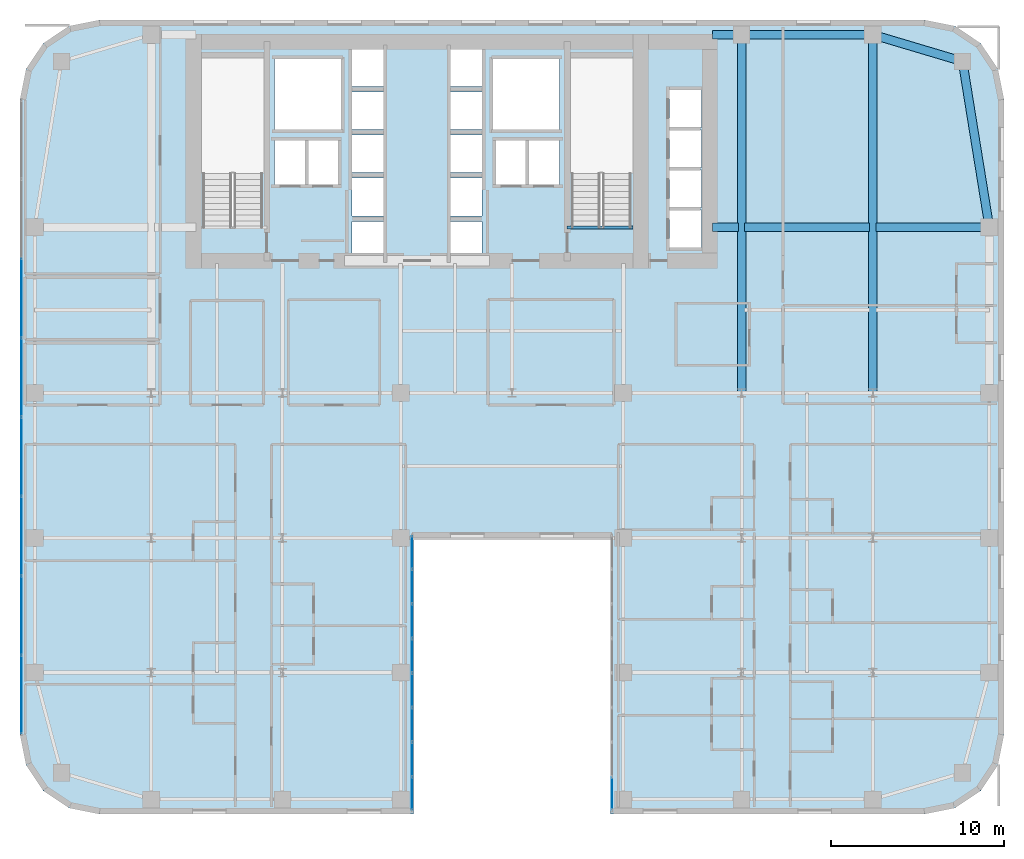
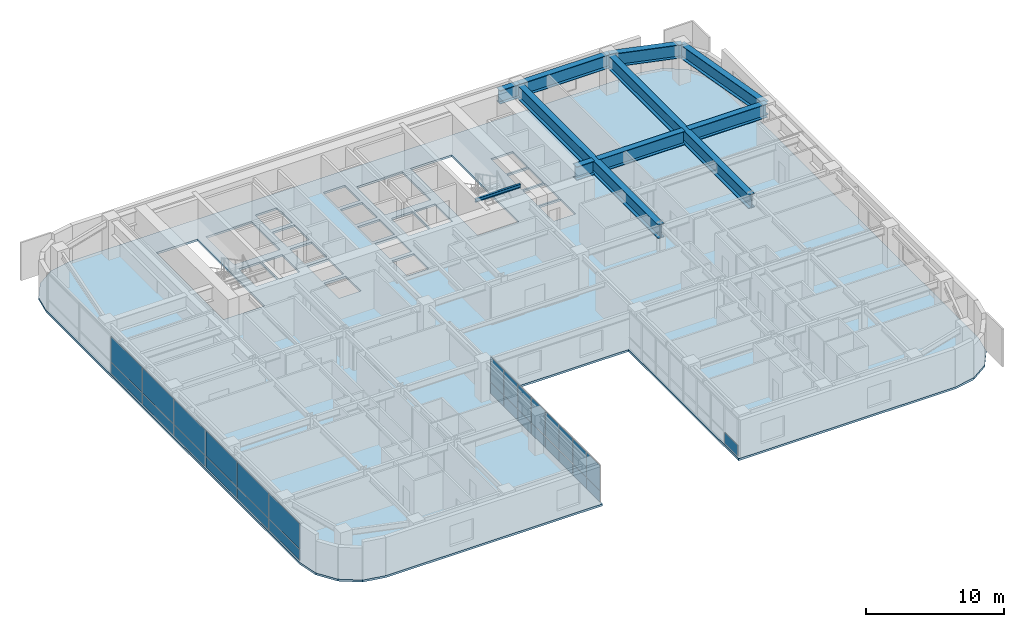
# One storey, part 22 of 30: 29 plates, 10 beams, 1 slab, 3 elements without a shape of their own.
"""IFC4 building model written with IfcOpenShell, lengths in metres."""

from ifc_helpers import new_model, si_unit, direction, frame, origin, origin_2d, place, context, subcontext, project, spatial, polyline, rectangle, i_section, outline, extrude, source, transform, mapped, material, layer, layer_set, material_profile, profile_set, type_object, type_shapes, element, aggregate, save


model = new_model("IFC4")

# Units and contexts
model_context = context("Model", 3, precision=1e-05, world=origin(), true_north=direction((0.0, 1.0)))
body_context = subcontext(model_context, "Body", "Model", "MODEL_VIEW")
ifc_project = project(units=[si_unit("LENGTHUNIT", "METRE"), si_unit("AREAUNIT", "SQUARE_METRE"), si_unit("VOLUMEUNIT", "CUBIC_METRE"), si_unit("PLANEANGLEUNIT", "RADIAN"), si_unit("MASSUNIT", "GRAM", prefix="KILO")], contexts=[model_context])

# Site, building, storey
site_placement = place(None, origin())
site = spatial("IfcSite", under=ifc_project, at=site_placement, CompositionType="ELEMENT")
building_placement = place(site_placement, origin())
building = spatial("IfcBuilding", under=site, at=building_placement, Name="Tolvann Quenvar Hotel", CompositionType="ELEMENT")
storey_placement = place(building_placement, frame((0.0, 0.0, 56.85009765625)))
storey = spatial("IfcBuildingStorey", under=building, at=storey_placement, Name="L13", CompositionType="ELEMENT", Elevation=56.85009765625)

# Beams
ifc_material_1 = material(Name="Steel Grade 350", Category="steel")
ifc_material_profile_1 = material_profile(ifc_material_1, i_section(OverallWidth=0.5, OverallDepth=1.199951171875, WebThickness=0.01611328125, FlangeThickness=0.0400390625, at=origin_2d()), Name="1200WB455")
ifc_profile_set_1 = profile_set([ifc_material_profile_1], Name="Steel Grade 350")
beam_type_1 = type_object("IfcBeamType", Name="BM_TG_1200WB455", PredefinedType="USERDEFINED", material=ifc_profile_set_1)
shared_shape_1 = source(origin(), body_context, "Body", "SweptSolid", [
    extrude(i_section(OverallWidth=0.5, OverallDepth=1.199951171875, WebThickness=0.01611328125, FlangeThickness=0.0400390625, at=origin_2d()), origin(), (0.0, 0.0, 1.0), 7.599853515625),
])
beam_1_placement = place(storey_placement, frame((49.39990234375, 45.14990234375, 2.77001953125), z_axis=(-1.0, 0.0, 0.0), x_axis=(0.0, -1.0, 0.0)))
element("IfcBeam", 1, at=beam_1_placement, inside=storey, type_object=beam_type_1, Name="BM-L13-FLK-E4", ObjectType="TRANSFER GIRDER", PredefinedType="USERDEFINED", context=body_context, shape_type="MappedRepresentation", body=[
    mapped(shared_shape_1, transform((0.0, 0.0, 0.0), x_axis=(1.0, 0.0, 0.0), y_axis=(0.0, 1.0, 0.0), z_axis=(0.0, 0.0, 1.0), scale=1.0)),
])
shared_shape_2 = source(origin(), body_context, "Body", "SweptSolid", [
    extrude(i_section(OverallWidth=0.5, OverallDepth=1.199951171875, WebThickness=0.01611328125, FlangeThickness=0.0400390625, at=origin_2d()), origin(), (0.0, 0.0, 1.0), 20.75),
])
for number, where, z_axis, x_axis, name in (
    (2, (41.800048828125, 24.39990234375, 2.77001953125), (0.0, 1.0, 0.0), (-1.0, 0.0, 0.0), "BM-L13-FLK-EH"),
    (3, (49.39990234375, 24.39990234375, 2.77001953125), (0.0, 1.0, 0.0), (-1.0, 0.0, 0.0), "BM-L13-FLK-EI"),
):
    element("IfcBeam", number, at=place(storey_placement, frame(where, z_axis=z_axis, x_axis=x_axis)), inside=storey, type_object=beam_type_1, Name=name, ObjectType="TRANSFER GIRDER", PredefinedType="USERDEFINED", context=body_context, shape_type="MappedRepresentation", body=[
        mapped(shared_shape_2, transform((0.0, 0.0, 0.0), x_axis=(1.0, 0.0, 0.0), y_axis=(0.0, 1.0, 0.0), z_axis=(0.0, 0.0, 1.0), scale=1.0)),
    ])
shared_shape_3 = source(origin(), body_context, "Body", "SweptSolid", [
    extrude(i_section(OverallWidth=0.5, OverallDepth=1.199951171875, WebThickness=0.01611328125, FlangeThickness=0.0400390625, at=origin_2d()), origin(), (0.0, 0.0, 1.0), 6.56982421875),
])
beam_2_placement = place(storey_placement, frame((49.580078125, 34.0, 2.77001953125), z_axis=(1.0, 0.0, 0.0), x_axis=(0.0, 1.0, 0.0)))
element("IfcBeam", 4, at=beam_2_placement, inside=storey, type_object=beam_type_1, Name="BM-L13-CTE-JD6C", ObjectType="TRANSFER GIRDER", PredefinedType="USERDEFINED", context=body_context, shape_type="MappedRepresentation", body=[
    mapped(shared_shape_3, transform((0.0, 0.0, 0.0), x_axis=(1.0, 0.0, 0.0), y_axis=(0.0, 1.0, 0.0), z_axis=(0.0, 0.0, 1.0), scale=1.0)),
])
shared_shape_4 = source(origin(), body_context, "Body", "SweptSolid", [
    extrude(i_section(OverallWidth=0.5, OverallDepth=1.199951171875, WebThickness=0.01611328125, FlangeThickness=0.0400390625, at=origin_2d()), origin(), (0.0, 0.0, 1.0), 9.724365234375),
])
beam_3_placement = place(storey_placement, frame((56.14990234375, 34.0, 2.77001953125), z_axis=(-0.159372939192, 0.987218449105, 0.0), x_axis=(-0.987218449105, -0.159372939192, 0.0)))
element("IfcBeam", 5, at=beam_3_placement, inside=storey, type_object=beam_type_1, Name="BM-L13-FLK-E2", ObjectType="TRANSFER GIRDER", PredefinedType="USERDEFINED", context=body_context, shape_type="MappedRepresentation", body=[
    mapped(shared_shape_4, transform((0.0, 0.0, 0.0), x_axis=(1.0, 0.0, 0.0), y_axis=(0.0, 1.0, 0.0), z_axis=(0.0, 0.0, 1.0), scale=1.0)),
])
shared_shape_5 = source(origin(), body_context, "Body", "SweptSolid", [
    extrude(i_section(OverallWidth=0.5, OverallDepth=1.199951171875, WebThickness=0.01611328125, FlangeThickness=0.0400390625, at=origin_2d()), origin(), (0.0, 0.0, 1.0), 5.42626953125),
])
beam_4_placement = place(storey_placement, frame((54.60009765625, 43.60009765625, 2.77001953125), z_axis=(-0.958344815522, 0.285613750654, 0.0), x_axis=(-0.285613750654, -0.958344815522, 0.0)))
element("IfcBeam", 6, at=beam_4_placement, inside=storey, type_object=beam_type_1, Name="BM-L13-FLK-E3", ObjectType="TRANSFER GIRDER", PredefinedType="USERDEFINED", context=body_context, shape_type="MappedRepresentation", body=[
    mapped(shared_shape_5, transform((0.0, 0.0, 0.0), x_axis=(1.0, 0.0, 0.0), y_axis=(0.0, 1.0, 0.0), z_axis=(0.0, 0.0, 1.0), scale=1.0)),
])
shared_shape_6 = source(origin(), body_context, "Body", "SweptSolid", [
    extrude(i_section(OverallWidth=0.5, OverallDepth=1.199951171875, WebThickness=0.01611328125, FlangeThickness=0.0400390625, at=origin_2d()), origin(), (0.0, 0.0, 1.0), 1.699951171875),
])
beam_5_placement = place(storey_placement, frame((40.10009765625, 45.14990234375, 2.77001953125), z_axis=(1.0, 0.0, 0.0), x_axis=(0.0, 1.0, 0.0)))
element("IfcBeam", 7, at=beam_5_placement, inside=storey, type_object=beam_type_1, Name="BM-L13-CTE-HN", ObjectType="TRANSFER GIRDER", PredefinedType="USERDEFINED", context=body_context, shape_type="MappedRepresentation", body=[
    mapped(shared_shape_6, transform((0.0, 0.0, 0.0), x_axis=(1.0, 0.0, 0.0), y_axis=(0.0, 1.0, 0.0), z_axis=(0.0, 0.0, 1.0), scale=1.0)),
])
shared_shape_7 = source(origin(), body_context, "Body", "SweptSolid", [
    extrude(i_section(OverallWidth=0.5, OverallDepth=1.199951171875, WebThickness=0.01611328125, FlangeThickness=0.0400390625, at=origin_2d()), origin(), (0.0, 0.0, 1.0), 1.52001953125),
])
beam_6_placement = place(storey_placement, frame((40.10009765625, 34.0, 2.77001953125), z_axis=(1.0, 0.0, 0.0), x_axis=(0.0, 1.0, 0.0)))
element("IfcBeam", 8, at=beam_6_placement, inside=storey, type_object=beam_type_1, Name="BM-L13-CTE-JD6A", ObjectType="TRANSFER GIRDER", PredefinedType="USERDEFINED", context=body_context, shape_type="MappedRepresentation", body=[
    mapped(shared_shape_7, transform((0.0, 0.0, 0.0), x_axis=(1.0, 0.0, 0.0), y_axis=(0.0, 1.0, 0.0), z_axis=(0.0, 0.0, 1.0), scale=1.0)),
])
shared_shape_8 = source(origin(), body_context, "Body", "SweptSolid", [
    extrude(i_section(OverallWidth=0.5, OverallDepth=1.199951171875, WebThickness=0.01611328125, FlangeThickness=0.0400390625, at=origin_2d()), origin(), (0.0, 0.0, 1.0), 7.239990234375),
])
type_shapes(beam_type_1, [shared_shape_1, shared_shape_2, shared_shape_3, shared_shape_4, shared_shape_5, shared_shape_6, shared_shape_7, shared_shape_8])
beam_7_placement = place(storey_placement, frame((41.97998046875, 34.0, 2.77001953125), z_axis=(1.0, 0.0, 0.0), x_axis=(0.0, 1.0, 0.0)))
element("IfcBeam", 9, at=beam_7_placement, inside=storey, type_object=beam_type_1, Name="BM-L13-CTE-JD6B", ObjectType="TRANSFER GIRDER", PredefinedType="USERDEFINED", context=body_context, shape_type="MappedRepresentation", body=[
    mapped(shared_shape_8, transform((0.0, 0.0, 0.0), x_axis=(1.0, 0.0, 0.0), y_axis=(0.0, 1.0, 0.0), z_axis=(0.0, 0.0, 1.0), scale=1.0)),
])
ifc_material_profile_2 = material_profile(ifc_material_1, i_section(OverallWidth=0.166015625, OverallDepth=0.306884765625, WebThickness=0.006591796875, FlangeThickness=0.01171875, FilletRadius=0.011474609375, at=origin_2d()), Name="310UB46")
ifc_profile_set_2 = profile_set([ifc_material_profile_2], Name="Steel Grade 350")
beam_type_2 = type_object("IfcBeamType", Name="BM_JOIST_310UB46", PredefinedType="JOIST", material=ifc_profile_set_2)
shared_shape_9 = source(origin(), body_context, "Body", "SweptSolid", [
    extrude(i_section(OverallWidth=0.166015625, OverallDepth=0.306884765625, WebThickness=0.006591796875, FlangeThickness=0.01171875, FilletRadius=0.011474609375, at=origin_2d()), origin(), (0.0, 0.0, 1.0), 3.800048828125),
])
type_shapes(beam_type_2, [shared_shape_9])
beam_8_placement = place(storey_placement, frame((31.699951171875, 33.97998046875, 3.21630859375), z_axis=(1.0, 0.0, 0.0), x_axis=(0.0, 1.0, 0.0)))
element("IfcBeam", 10, at=beam_8_placement, inside=storey, type_object=beam_type_2, Name="BM-HDR-STC2-L14", PredefinedType="JOIST", context=body_context, shape_type="MappedRepresentation", body=[
    mapped(shared_shape_9, transform((0.0, 0.0, 0.0), x_axis=(1.0, 0.0, 0.0), y_axis=(0.0, 1.0, 0.0), z_axis=(0.0, 0.0, 1.0), scale=1.0)),
])

# Slab
ifc_material_2 = material(Name="Concrete N40 (40 MPa)", Category="concrete")
ifc_layer_1 = layer(ifc_material_2, 0.179931640625)
ifc_layer_set_1 = layer_set([ifc_layer_1], Name="Concrete N40 (40 MPa)")
slab_type = type_object("IfcSlabType", Name="SLAB_TWR_180", PredefinedType="FLOOR", material=ifc_layer_set_1)
slab_placement = place(storey_placement, frame((0.0, 0.0, -0.18017578125)))
element("IfcSlab", 11, at=slab_placement, inside=storey, type_object=slab_type, Name="Level L13 Structural Floor Slab", PredefinedType="FLOOR", context=body_context, shape_type="SweptSolid", body=[
    extrude(outline(polyline([(0.0, 4.60009765625), (0.35009765625, 2.839599609375), (1.347412109375, 1.347412109375), (2.839599609375, 0.35009765625), (4.60009765625, 0.0), (22.800048828125, 0.0), (22.800048828125, 16.0), (34.199951171875, 16.0), (34.199951171875, 0.0), (52.39990234375, 0.0), (54.160400390625, 0.35009765625), (55.652587890625, 1.347412109375), (56.64990234375, 2.839599609375), (57.0, 4.60009765625), (57.0, 41.39990234375), (56.64990234375, 43.160400390625), (55.652587890625, 44.652587890625), (54.160400390625, 45.64990234375), (52.39990234375, 46.0), (4.60009765625, 46.0), (2.839599609375, 45.64990234375), (1.347412109375, 44.652587890625), (0.35009765625, 43.160400390625), (0.0, 41.39990234375), (0.0, 4.60009765625)]), holes=[polyline([(37.6298828125, 41.949951171875), (39.469970703125, 41.949951171875), (39.469970703125, 39.77001953125), (37.6298828125, 39.77001953125), (37.6298828125, 41.949951171875)]), polyline([(37.6298828125, 39.6298828125), (39.469970703125, 39.6298828125), (39.469970703125, 37.449951171875), (37.6298828125, 37.449951171875), (37.6298828125, 39.6298828125)]), polyline([(37.6298828125, 37.31005859375), (39.469970703125, 37.31005859375), (39.469970703125, 35.1298828125), (37.6298828125, 35.1298828125), (37.6298828125, 37.31005859375)]), polyline([(37.6298828125, 34.989990234375), (39.469970703125, 34.989990234375), (39.469970703125, 32.81005859375), (37.6298828125, 32.81005859375), (37.6298828125, 34.989990234375)]), polyline([(31.949951171875, 43.800048828125), (35.39990234375, 43.800048828125), (35.39990234375, 34.02490234375), (31.949951171875, 34.02490234375), (31.949951171875, 43.800048828125)]), polyline([(31.25, 39.02001953125), (31.25, 36.47998046875), (29.449951171875, 36.47998046875), (29.449951171875, 39.02001953125), (31.25, 39.02001953125)]), polyline([(31.25, 43.75), (31.25, 39.64990234375), (27.39990234375, 39.64990234375), (27.39990234375, 43.75), (31.25, 43.75)]), polyline([(27.574951171875, 39.02001953125), (29.324951171875, 39.02001953125), (29.324951171875, 36.47998046875), (27.574951171875, 36.47998046875), (27.574951171875, 39.02001953125)]), polyline([(26.77001953125, 36.840087890625), (26.77001953125, 34.659912109375), (24.929931640625, 34.659912109375), (24.929931640625, 36.840087890625), (26.77001953125, 36.840087890625)]), polyline([(26.77001953125, 44.340087890625), (26.77001953125, 42.159912109375), (24.929931640625, 42.159912109375), (24.929931640625, 44.340087890625), (26.77001953125, 44.340087890625)]), polyline([(26.77001953125, 41.840087890625), (26.77001953125, 39.659912109375), (24.929931640625, 39.659912109375), (24.929931640625, 41.840087890625), (26.77001953125, 41.840087890625)]), polyline([(26.77001953125, 39.340087890625), (26.77001953125, 37.159912109375), (24.929931640625, 37.159912109375), (24.929931640625, 39.340087890625), (26.77001953125, 39.340087890625)]), polyline([(24.929931640625, 34.340087890625), (26.77001953125, 34.340087890625), (26.77001953125, 32.159912109375), (24.929931640625, 32.159912109375), (24.929931640625, 34.340087890625)]), polyline([(21.070068359375, 44.340087890625), (21.070068359375, 42.159912109375), (19.22998046875, 42.159912109375), (19.22998046875, 44.340087890625), (21.070068359375, 44.340087890625)]), polyline([(19.22998046875, 41.840087890625), (21.070068359375, 41.840087890625), (21.070068359375, 39.659912109375), (19.22998046875, 39.659912109375), (19.22998046875, 41.840087890625)]), polyline([(21.070068359375, 39.340087890625), (21.070068359375, 37.159912109375), (19.22998046875, 37.159912109375), (19.22998046875, 39.340087890625), (21.070068359375, 39.340087890625)]), polyline([(19.22998046875, 36.840087890625), (21.070068359375, 36.840087890625), (21.070068359375, 34.659912109375), (19.22998046875, 34.659912109375), (19.22998046875, 36.840087890625)]), polyline([(19.22998046875, 34.340087890625), (21.070068359375, 34.340087890625), (21.070068359375, 32.159912109375), (19.22998046875, 32.159912109375), (19.22998046875, 34.340087890625)]), polyline([(18.60009765625, 43.75), (18.60009765625, 39.64990234375), (14.75, 39.64990234375), (14.75, 43.75), (18.60009765625, 43.75)]), polyline([(16.675048828125, 39.02001953125), (18.425048828125, 39.02001953125), (18.425048828125, 36.47998046875), (16.675048828125, 36.47998046875), (16.675048828125, 39.02001953125)]), polyline([(16.550048828125, 39.02001953125), (16.550048828125, 36.47998046875), (14.75, 36.47998046875), (14.75, 39.02001953125), (16.550048828125, 39.02001953125)]), polyline([(10.60009765625, 43.800048828125), (14.050048828125, 43.800048828125), (14.050048828125, 34.02490234375), (10.60009765625, 34.02490234375), (10.60009765625, 43.800048828125)])]), origin(), (0.0, 0.0, 1.0), 0.18017578125),
])

# Curtain wall, plates
ifc_material_3 = material(Name="Thermally broken anodised architectural aluminium 6063-T6 and laminated low-E glass", Category="aluminium")
ifc_layer_2 = layer(ifc_material_3, 0.179931640625)
ifc_layer_set_2 = layer_set([ifc_layer_2], Name="Thermally broken anodised architectural aluminium 6063-T6 and laminated low-E glass")
curtain_wall_type_1 = type_object("IfcCurtainWallType", Name="CW_SYS_SLOT_03", PredefinedType="USERDEFINED", material=ifc_layer_set_2)
curtain_wall_1_placement = place(storey_placement, origin())
curtain_wall_1 = element("IfcCurtainWall", 12, at=curtain_wall_1_placement, inside=storey, type_object=curtain_wall_type_1, Name="Curtain Wall CW-SLOT-03 (CWR-L13-E05)", ObjectType="UNITISED CURTAIN WALL", PredefinedType="USERDEFINED")
ifc_material_4 = material(Name="Low-iron laminated double glazing with solar-control coating", Category="glass")
ifc_layer_3 = layer(ifc_material_4, 0.028076171875)
ifc_layer_set_3 = layer_set([ifc_layer_3], Name="Low-iron laminated double glazing with solar-control coating")
plate_type = type_object("IfcPlateType", Name="CW_PAN_VISION_28", PredefinedType="CURTAIN_PANEL", material=ifc_layer_set_3)
shared_shape_10 = source(origin(), body_context, "Body", "SweptSolid", [
    extrude(rectangle(XDim=1.89501953125, YDim=0.028076171875, at=origin_2d()), origin(), (0.0, 0.0, 1.0), 0.9599609375),
])
plate_1_placement = place(storey_placement, frame((22.7099609375, 1.1923828125, 0.059814453125), z_axis=(0.0, 0.0, 1.0), x_axis=(0.0, 1.0, 0.0)))
plate_1 = element("IfcPlate", 13, at=plate_1_placement, type_object=plate_type, Name="CW-SLOT-03 panel 1.1", PredefinedType="CURTAIN_PANEL", context=body_context, shape_type="MappedRepresentation", body=[
    mapped(shared_shape_10, transform((0.0, 0.0, 0.0), x_axis=(1.0, 0.0, 0.0), y_axis=(0.0, 1.0, 0.0), z_axis=(0.0, 0.0, 1.0), scale=1.0)),
])
plate_2_placement = place(storey_placement, frame((22.7099609375, 15.157470703125, 0.059814453125), z_axis=(0.0, 0.0, 1.0), x_axis=(0.0, 1.0, 0.0)))
plate_2 = element("IfcPlate", 14, at=plate_2_placement, type_object=plate_type, Name="CW-SLOT-03 panel 8.1", PredefinedType="CURTAIN_PANEL", context=body_context, shape_type="MappedRepresentation", body=[
    mapped(shared_shape_10, transform((0.0, 0.0, 0.0), x_axis=(1.0, 0.0, 0.0), y_axis=(0.0, 1.0, 0.0), z_axis=(0.0, 0.0, 1.0), scale=1.0)),
])

# Curtain wall, plate
curtain_wall_2_placement = place(storey_placement, origin())
curtain_wall_2 = element("IfcCurtainWall", 15, at=curtain_wall_2_placement, inside=storey, type_object=curtain_wall_type_1, Name="Curtain Wall CW-SLOT-03 (CWR-L13-E07)", ObjectType="UNITISED CURTAIN WALL", PredefinedType="USERDEFINED")
plate_3_placement = place(storey_placement, frame((34.2900390625, 1.1923828125, 0.059814453125), z_axis=(0.0, 0.0, 1.0), x_axis=(0.0, -1.0, 0.0)))
plate_3 = element("IfcPlate", 16, at=plate_3_placement, type_object=plate_type, Name="CW-SLOT-03 panel 8.1", PredefinedType="CURTAIN_PANEL", context=body_context, shape_type="MappedRepresentation", body=[
    mapped(shared_shape_10, transform((0.0, 0.0, 0.0), x_axis=(1.0, 0.0, 0.0), y_axis=(0.0, 1.0, 0.0), z_axis=(0.0, 0.0, 1.0), scale=1.0)),
])
aggregate(curtain_wall_2, [plate_3])

# Plate
shared_shape_11 = source(origin(), body_context, "Body", "SweptSolid", [
    extrude(rectangle(XDim=1.89501953125, YDim=0.028076171875, at=origin_2d()), origin(), (0.0, 0.0, 1.0), 2.22998046875),
])
plate_4_placement = place(storey_placement, frame((22.7099609375, 1.1923828125, 1.079833984375), z_axis=(0.0, 0.0, 1.0), x_axis=(0.0, 1.0, 0.0)))
plate_4 = element("IfcPlate", 17, at=plate_4_placement, type_object=plate_type, Name="CW-SLOT-03 panel 1.2", PredefinedType="CURTAIN_PANEL", context=body_context, shape_type="MappedRepresentation", body=[
    mapped(shared_shape_11, transform((0.0, 0.0, 0.0), x_axis=(1.0, 0.0, 0.0), y_axis=(0.0, 1.0, 0.0), z_axis=(0.0, 0.0, 1.0), scale=1.0)),
])

plate_5_placement = place(storey_placement, frame((22.7099609375, 15.157470703125, 1.079833984375), z_axis=(0.0, 0.0, 1.0), x_axis=(0.0, 1.0, 0.0)))
plate_5 = element("IfcPlate", 18, at=plate_5_placement, type_object=plate_type, Name="CW-SLOT-03 panel 8.2", PredefinedType="CURTAIN_PANEL", context=body_context, shape_type="MappedRepresentation", body=[
    mapped(shared_shape_11, transform((0.0, 0.0, 0.0), x_axis=(1.0, 0.0, 0.0), y_axis=(0.0, 1.0, 0.0), z_axis=(0.0, 0.0, 1.0), scale=1.0)),
])

shared_shape_12 = source(origin(), body_context, "Body", "SweptSolid", [
    extrude(rectangle(XDim=1.929931640625, YDim=0.028076171875, at=origin_2d()), origin(), (0.0, 0.0, 1.0), 0.9599609375),
])
plate_6_placement = place(storey_placement, frame((22.7099609375, 3.175048828125, 0.059814453125), z_axis=(0.0, 0.0, 1.0), x_axis=(0.0, 1.0, 0.0)))
plate_6 = element("IfcPlate", 19, at=plate_6_placement, type_object=plate_type, Name="CW-SLOT-03 panel 2.1", PredefinedType="CURTAIN_PANEL", context=body_context, shape_type="MappedRepresentation", body=[
    mapped(shared_shape_12, transform((0.0, 0.0, 0.0), x_axis=(1.0, 0.0, 0.0), y_axis=(0.0, 1.0, 0.0), z_axis=(0.0, 0.0, 1.0), scale=1.0)),
])

plate_7_placement = place(storey_placement, frame((22.7099609375, 5.175048828125, 0.059814453125), z_axis=(0.0, 0.0, 1.0), x_axis=(0.0, 1.0, 0.0)))
plate_7 = element("IfcPlate", 20, at=plate_7_placement, type_object=plate_type, Name="CW-SLOT-03 panel 3.1", PredefinedType="CURTAIN_PANEL", context=body_context, shape_type="MappedRepresentation", body=[
    mapped(shared_shape_12, transform((0.0, 0.0, 0.0), x_axis=(1.0, 0.0, 0.0), y_axis=(0.0, 1.0, 0.0), z_axis=(0.0, 0.0, 1.0), scale=1.0)),
])

plate_8_placement = place(storey_placement, frame((22.7099609375, 7.175048828125, 0.059814453125), z_axis=(0.0, 0.0, 1.0), x_axis=(0.0, 1.0, 0.0)))
plate_8 = element("IfcPlate", 21, at=plate_8_placement, type_object=plate_type, Name="CW-SLOT-03 panel 4.1", PredefinedType="CURTAIN_PANEL", context=body_context, shape_type="MappedRepresentation", body=[
    mapped(shared_shape_12, transform((0.0, 0.0, 0.0), x_axis=(1.0, 0.0, 0.0), y_axis=(0.0, 1.0, 0.0), z_axis=(0.0, 0.0, 1.0), scale=1.0)),
])

plate_9_placement = place(storey_placement, frame((22.7099609375, 9.175048828125, 0.059814453125), z_axis=(0.0, 0.0, 1.0), x_axis=(0.0, 1.0, 0.0)))
plate_9 = element("IfcPlate", 22, at=plate_9_placement, type_object=plate_type, Name="CW-SLOT-03 panel 5.1", PredefinedType="CURTAIN_PANEL", context=body_context, shape_type="MappedRepresentation", body=[
    mapped(shared_shape_12, transform((0.0, 0.0, 0.0), x_axis=(1.0, 0.0, 0.0), y_axis=(0.0, 1.0, 0.0), z_axis=(0.0, 0.0, 1.0), scale=1.0)),
])

plate_10_placement = place(storey_placement, frame((22.7099609375, 11.175048828125, 0.059814453125), z_axis=(0.0, 0.0, 1.0), x_axis=(0.0, 1.0, 0.0)))
plate_10 = element("IfcPlate", 23, at=plate_10_placement, type_object=plate_type, Name="CW-SLOT-03 panel 6.1", PredefinedType="CURTAIN_PANEL", context=body_context, shape_type="MappedRepresentation", body=[
    mapped(shared_shape_12, transform((0.0, 0.0, 0.0), x_axis=(1.0, 0.0, 0.0), y_axis=(0.0, 1.0, 0.0), z_axis=(0.0, 0.0, 1.0), scale=1.0)),
])

plate_11_placement = place(storey_placement, frame((22.7099609375, 13.175048828125, 0.059814453125), z_axis=(0.0, 0.0, 1.0), x_axis=(0.0, 1.0, 0.0)))
plate_11 = element("IfcPlate", 24, at=plate_11_placement, type_object=plate_type, Name="CW-SLOT-03 panel 7.1", PredefinedType="CURTAIN_PANEL", context=body_context, shape_type="MappedRepresentation", body=[
    mapped(shared_shape_12, transform((0.0, 0.0, 0.0), x_axis=(1.0, 0.0, 0.0), y_axis=(0.0, 1.0, 0.0), z_axis=(0.0, 0.0, 1.0), scale=1.0)),
])

shared_shape_13 = source(origin(), body_context, "Body", "SweptSolid", [
    extrude(rectangle(XDim=1.929931640625, YDim=0.028076171875, at=origin_2d()), origin(), (0.0, 0.0, 1.0), 2.22998046875),
])
plate_12_placement = place(storey_placement, frame((22.7099609375, 3.175048828125, 1.079833984375), z_axis=(0.0, 0.0, 1.0), x_axis=(0.0, 1.0, 0.0)))
plate_12 = element("IfcPlate", 25, at=plate_12_placement, type_object=plate_type, Name="CW-SLOT-03 panel 2.2", PredefinedType="CURTAIN_PANEL", context=body_context, shape_type="MappedRepresentation", body=[
    mapped(shared_shape_13, transform((0.0, 0.0, 0.0), x_axis=(1.0, 0.0, 0.0), y_axis=(0.0, 1.0, 0.0), z_axis=(0.0, 0.0, 1.0), scale=1.0)),
])

plate_13_placement = place(storey_placement, frame((22.7099609375, 5.175048828125, 1.079833984375), z_axis=(0.0, 0.0, 1.0), x_axis=(0.0, 1.0, 0.0)))
plate_13 = element("IfcPlate", 26, at=plate_13_placement, type_object=plate_type, Name="CW-SLOT-03 panel 3.2", PredefinedType="CURTAIN_PANEL", context=body_context, shape_type="MappedRepresentation", body=[
    mapped(shared_shape_13, transform((0.0, 0.0, 0.0), x_axis=(1.0, 0.0, 0.0), y_axis=(0.0, 1.0, 0.0), z_axis=(0.0, 0.0, 1.0), scale=1.0)),
])

plate_14_placement = place(storey_placement, frame((22.7099609375, 7.175048828125, 1.079833984375), z_axis=(0.0, 0.0, 1.0), x_axis=(0.0, 1.0, 0.0)))
plate_14 = element("IfcPlate", 27, at=plate_14_placement, type_object=plate_type, Name="CW-SLOT-03 panel 4.2", PredefinedType="CURTAIN_PANEL", context=body_context, shape_type="MappedRepresentation", body=[
    mapped(shared_shape_13, transform((0.0, 0.0, 0.0), x_axis=(1.0, 0.0, 0.0), y_axis=(0.0, 1.0, 0.0), z_axis=(0.0, 0.0, 1.0), scale=1.0)),
])

plate_15_placement = place(storey_placement, frame((22.7099609375, 9.175048828125, 1.079833984375), z_axis=(0.0, 0.0, 1.0), x_axis=(0.0, 1.0, 0.0)))
plate_15 = element("IfcPlate", 28, at=plate_15_placement, type_object=plate_type, Name="CW-SLOT-03 panel 5.2", PredefinedType="CURTAIN_PANEL", context=body_context, shape_type="MappedRepresentation", body=[
    mapped(shared_shape_13, transform((0.0, 0.0, 0.0), x_axis=(1.0, 0.0, 0.0), y_axis=(0.0, 1.0, 0.0), z_axis=(0.0, 0.0, 1.0), scale=1.0)),
])

plate_16_placement = place(storey_placement, frame((22.7099609375, 11.175048828125, 1.079833984375), z_axis=(0.0, 0.0, 1.0), x_axis=(0.0, 1.0, 0.0)))
plate_16 = element("IfcPlate", 29, at=plate_16_placement, type_object=plate_type, Name="CW-SLOT-03 panel 6.2", PredefinedType="CURTAIN_PANEL", context=body_context, shape_type="MappedRepresentation", body=[
    mapped(shared_shape_13, transform((0.0, 0.0, 0.0), x_axis=(1.0, 0.0, 0.0), y_axis=(0.0, 1.0, 0.0), z_axis=(0.0, 0.0, 1.0), scale=1.0)),
])

plate_17_placement = place(storey_placement, frame((22.7099609375, 13.175048828125, 1.079833984375), z_axis=(0.0, 0.0, 1.0), x_axis=(0.0, 1.0, 0.0)))
plate_17 = element("IfcPlate", 30, at=plate_17_placement, type_object=plate_type, Name="CW-SLOT-03 panel 7.2", PredefinedType="CURTAIN_PANEL", context=body_context, shape_type="MappedRepresentation", body=[
    mapped(shared_shape_13, transform((0.0, 0.0, 0.0), x_axis=(1.0, 0.0, 0.0), y_axis=(0.0, 1.0, 0.0), z_axis=(0.0, 0.0, 1.0), scale=1.0)),
])

aggregate(curtain_wall_1, [plate_1, plate_4, plate_6, plate_12, plate_7, plate_13, plate_8, plate_14, plate_9, plate_15, plate_10, plate_16, plate_11, plate_17, plate_2, plate_5])

# Curtain wall, plates
ifc_layer_4 = layer(ifc_material_3, 0.179931640625)
ifc_layer_set_4 = layer_set([ifc_layer_4], Name="Thermally broken anodised architectural aluminium 6063-T6 and laminated low-E glass")
curtain_wall_type_2 = type_object("IfcCurtainWallType", Name="CW_SYS_BAND_04", PredefinedType="USERDEFINED", material=ifc_layer_set_4)
curtain_wall_3_placement = place(storey_placement, origin())
curtain_wall_3 = element("IfcCurtainWall", 31, at=curtain_wall_3_placement, inside=storey, type_object=curtain_wall_type_2, Name="Curtain Wall CW-BAND-04 (CWR-L13-E23)", ObjectType="UNITISED CURTAIN WALL", PredefinedType="USERDEFINED")
shared_shape_14 = source(origin(), body_context, "Body", "SweptSolid", [
    extrude(rectangle(XDim=4.49072265625, YDim=0.028076171875, at=origin_2d()), origin(), (0.0, 0.0, 1.0), 0.9599609375),
])
plate_18_placement = place(storey_placement, frame((0.090087890625, 6.9326171875, 0.059814453125), z_axis=(0.0, 0.0, 1.0), x_axis=(0.0, -1.0, 0.0)))
plate_18 = element("IfcPlate", 32, at=plate_18_placement, type_object=plate_type, Name="CW-BAND-04 panel 8.1", PredefinedType="CURTAIN_PANEL", context=body_context, shape_type="MappedRepresentation", body=[
    mapped(shared_shape_14, transform((0.0, 0.0, 0.0), x_axis=(1.0, 0.0, 0.0), y_axis=(0.0, 1.0, 0.0), z_axis=(0.0, 0.0, 1.0), scale=1.0)),
])
shared_shape_15 = source(origin(), body_context, "Body", "SweptSolid", [
    extrude(rectangle(XDim=4.49072265625, YDim=0.028076171875, at=origin_2d()), origin(), (0.0, 0.0, 1.0), 2.22998046875),
])
plate_19_placement = place(storey_placement, frame((0.090087890625, 6.9326171875, 1.079833984375), z_axis=(0.0, 0.0, 1.0), x_axis=(0.0, -1.0, 0.0)))
plate_19 = element("IfcPlate", 33, at=plate_19_placement, type_object=plate_type, Name="CW-BAND-04 panel 8.2", PredefinedType="CURTAIN_PANEL", context=body_context, shape_type="MappedRepresentation", body=[
    mapped(shared_shape_15, transform((0.0, 0.0, 0.0), x_axis=(1.0, 0.0, 0.0), y_axis=(0.0, 1.0, 0.0), z_axis=(0.0, 0.0, 1.0), scale=1.0)),
])
shared_shape_16 = source(origin(), body_context, "Body", "SweptSolid", [
    extrude(rectangle(XDim=4.525634765625, YDim=0.028076171875, at=origin_2d()), origin(), (0.0, 0.0, 1.0), 0.9599609375),
])
plate_20_placement = place(storey_placement, frame((0.090087890625, 29.8935546875, 0.059814453125), z_axis=(0.0, 0.0, 1.0), x_axis=(0.0, -1.0, 0.0)))
plate_20 = element("IfcPlate", 34, at=plate_20_placement, type_object=plate_type, Name="CW-BAND-04 panel 3.1", PredefinedType="CURTAIN_PANEL", context=body_context, shape_type="MappedRepresentation", body=[
    mapped(shared_shape_16, transform((0.0, 0.0, 0.0), x_axis=(1.0, 0.0, 0.0), y_axis=(0.0, 1.0, 0.0), z_axis=(0.0, 0.0, 1.0), scale=1.0)),
])
plate_21_placement = place(storey_placement, frame((0.090087890625, 25.2978515625, 0.059814453125), z_axis=(0.0, 0.0, 1.0), x_axis=(0.0, -1.0, 0.0)))
plate_21 = element("IfcPlate", 35, at=plate_21_placement, type_object=plate_type, Name="CW-BAND-04 panel 4.1", PredefinedType="CURTAIN_PANEL", context=body_context, shape_type="MappedRepresentation", body=[
    mapped(shared_shape_16, transform((0.0, 0.0, 0.0), x_axis=(1.0, 0.0, 0.0), y_axis=(0.0, 1.0, 0.0), z_axis=(0.0, 0.0, 1.0), scale=1.0)),
])
plate_22_placement = place(storey_placement, frame((0.090087890625, 20.7021484375, 0.059814453125), z_axis=(0.0, 0.0, 1.0), x_axis=(0.0, -1.0, 0.0)))
plate_22 = element("IfcPlate", 36, at=plate_22_placement, type_object=plate_type, Name="CW-BAND-04 panel 5.1", PredefinedType="CURTAIN_PANEL", context=body_context, shape_type="MappedRepresentation", body=[
    mapped(shared_shape_16, transform((0.0, 0.0, 0.0), x_axis=(1.0, 0.0, 0.0), y_axis=(0.0, 1.0, 0.0), z_axis=(0.0, 0.0, 1.0), scale=1.0)),
])
plate_23_placement = place(storey_placement, frame((0.090087890625, 16.1064453125, 0.059814453125), z_axis=(0.0, 0.0, 1.0), x_axis=(0.0, -1.0, 0.0)))
plate_23 = element("IfcPlate", 37, at=plate_23_placement, type_object=plate_type, Name="CW-BAND-04 panel 6.1", PredefinedType="CURTAIN_PANEL", context=body_context, shape_type="MappedRepresentation", body=[
    mapped(shared_shape_16, transform((0.0, 0.0, 0.0), x_axis=(1.0, 0.0, 0.0), y_axis=(0.0, 1.0, 0.0), z_axis=(0.0, 0.0, 1.0), scale=1.0)),
])
plate_24_placement = place(storey_placement, frame((0.090087890625, 11.5107421875, 0.059814453125), z_axis=(0.0, 0.0, 1.0), x_axis=(0.0, -1.0, 0.0)))
plate_24 = element("IfcPlate", 38, at=plate_24_placement, type_object=plate_type, Name="CW-BAND-04 panel 7.1", PredefinedType="CURTAIN_PANEL", context=body_context, shape_type="MappedRepresentation", body=[
    mapped(shared_shape_16, transform((0.0, 0.0, 0.0), x_axis=(1.0, 0.0, 0.0), y_axis=(0.0, 1.0, 0.0), z_axis=(0.0, 0.0, 1.0), scale=1.0)),
])
shared_shape_17 = source(origin(), body_context, "Body", "SweptSolid", [
    extrude(rectangle(XDim=4.525634765625, YDim=0.028076171875, at=origin_2d()), origin(), (0.0, 0.0, 1.0), 2.22998046875),
])
type_shapes(plate_type, [shared_shape_10, shared_shape_11, shared_shape_12, shared_shape_13, shared_shape_14, shared_shape_15, shared_shape_16, shared_shape_17])
plate_25_placement = place(storey_placement, frame((0.090087890625, 29.8935546875, 1.079833984375), z_axis=(0.0, 0.0, 1.0), x_axis=(0.0, -1.0, 0.0)))
plate_25 = element("IfcPlate", 39, at=plate_25_placement, type_object=plate_type, Name="CW-BAND-04 panel 3.2", PredefinedType="CURTAIN_PANEL", context=body_context, shape_type="MappedRepresentation", body=[
    mapped(shared_shape_17, transform((0.0, 0.0, 0.0), x_axis=(1.0, 0.0, 0.0), y_axis=(0.0, 1.0, 0.0), z_axis=(0.0, 0.0, 1.0), scale=1.0)),
])
plate_26_placement = place(storey_placement, frame((0.090087890625, 25.2978515625, 1.079833984375), z_axis=(0.0, 0.0, 1.0), x_axis=(0.0, -1.0, 0.0)))
plate_26 = element("IfcPlate", 40, at=plate_26_placement, type_object=plate_type, Name="CW-BAND-04 panel 4.2", PredefinedType="CURTAIN_PANEL", context=body_context, shape_type="MappedRepresentation", body=[
    mapped(shared_shape_17, transform((0.0, 0.0, 0.0), x_axis=(1.0, 0.0, 0.0), y_axis=(0.0, 1.0, 0.0), z_axis=(0.0, 0.0, 1.0), scale=1.0)),
])
plate_27_placement = place(storey_placement, frame((0.090087890625, 20.7021484375, 1.079833984375), z_axis=(0.0, 0.0, 1.0), x_axis=(0.0, -1.0, 0.0)))
plate_27 = element("IfcPlate", 41, at=plate_27_placement, type_object=plate_type, Name="CW-BAND-04 panel 5.2", PredefinedType="CURTAIN_PANEL", context=body_context, shape_type="MappedRepresentation", body=[
    mapped(shared_shape_17, transform((0.0, 0.0, 0.0), x_axis=(1.0, 0.0, 0.0), y_axis=(0.0, 1.0, 0.0), z_axis=(0.0, 0.0, 1.0), scale=1.0)),
])
plate_28_placement = place(storey_placement, frame((0.090087890625, 16.1064453125, 1.079833984375), z_axis=(0.0, 0.0, 1.0), x_axis=(0.0, -1.0, 0.0)))
plate_28 = element("IfcPlate", 42, at=plate_28_placement, type_object=plate_type, Name="CW-BAND-04 panel 6.2", PredefinedType="CURTAIN_PANEL", context=body_context, shape_type="MappedRepresentation", body=[
    mapped(shared_shape_17, transform((0.0, 0.0, 0.0), x_axis=(1.0, 0.0, 0.0), y_axis=(0.0, 1.0, 0.0), z_axis=(0.0, 0.0, 1.0), scale=1.0)),
])
plate_29_placement = place(storey_placement, frame((0.090087890625, 11.5107421875, 1.079833984375), z_axis=(0.0, 0.0, 1.0), x_axis=(0.0, -1.0, 0.0)))
plate_29 = element("IfcPlate", 43, at=plate_29_placement, type_object=plate_type, Name="CW-BAND-04 panel 7.2", PredefinedType="CURTAIN_PANEL", context=body_context, shape_type="MappedRepresentation", body=[
    mapped(shared_shape_17, transform((0.0, 0.0, 0.0), x_axis=(1.0, 0.0, 0.0), y_axis=(0.0, 1.0, 0.0), z_axis=(0.0, 0.0, 1.0), scale=1.0)),
])
aggregate(curtain_wall_3, [plate_20, plate_25, plate_21, plate_26, plate_22, plate_27, plate_23, plate_28, plate_24, plate_29, plate_18, plate_19])

save(model, "model.ifc")
